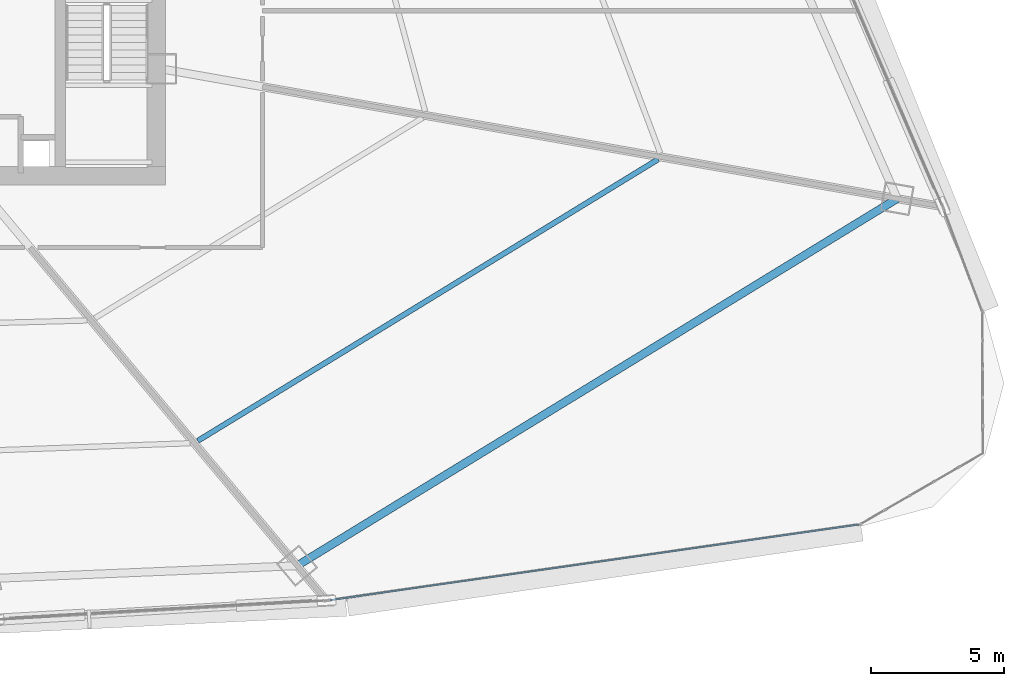
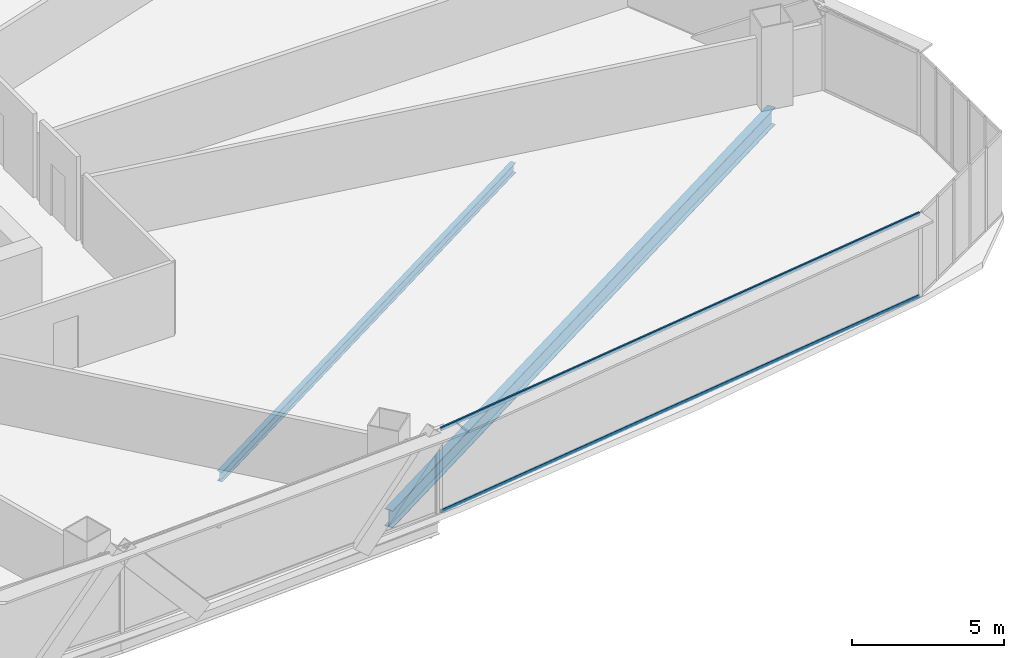
# One storey, part 21 of 42: 2 beams, 2 members, 1 element without a shape of its own.
"""IFC4 building model written with IfcOpenShell, lengths in metres."""

from ifc_helpers import new_model, si_unit, direction, frame, origin, origin_2d, place, context, subcontext, project, spatial, hollow_rectangle, i_section, extrude, source, transform, mapped, material, layer, layer_set, material_profile, profile_set, type_object, element, aggregate, save


model = new_model("IFC4")

# Units and contexts
model_context = context("Model", 3, precision=1e-05, world=origin(), true_north=direction((0.0, 1.0)))
body_context = subcontext(model_context, "Body", "Model", "MODEL_VIEW")
ifc_project = project(units=[si_unit("LENGTHUNIT", "METRE"), si_unit("AREAUNIT", "SQUARE_METRE"), si_unit("VOLUMEUNIT", "CUBIC_METRE"), si_unit("PLANEANGLEUNIT", "RADIAN"), si_unit("MASSUNIT", "GRAM", prefix="KILO"), si_unit("THERMODYNAMICTEMPERATUREUNIT", "KELVIN"), si_unit("POWERUNIT", "WATT")], contexts=[model_context])

# Site, building, storey
site_placement = place(None, origin())
site = spatial("IfcSite", under=ifc_project, at=site_placement, CompositionType="ELEMENT")
building_placement = place(site_placement, origin())
building = spatial("IfcBuilding", under=site, at=building_placement, Name="Yunzhuo Pagoda Commons", CompositionType="ELEMENT")
storey_placement = place(building_placement, frame((0.0, 0.0, 44.919921875)))
storey = spatial("IfcBuildingStorey", under=building, at=storey_placement, Name="L11", CompositionType="ELEMENT", Elevation=44.919921875)

# Beams
ifc_material_1 = material(Name="Structural steel Q355B", Category="steel")
ifc_material_profile_1 = material_profile(ifc_material_1, i_section(OverallWidth=0.300048828125, OverallDepth=0.699951171875, WebThickness=0.012939453125, FlangeThickness=0.02392578125, at=origin_2d()), Name="Structural steel Q355B")
ifc_profile_set_1 = profile_set([ifc_material_profile_1], Name="Structural steel Q355B")
beam_type_1 = type_object("IfcBeamType", Name="B-RG1 Beam HN 700x300x13x24", PredefinedType="BEAM", material=ifc_profile_set_1)
shared_shape_1 = source(origin(), body_context, "Body", "SweptSolid", [
    extrude(i_section(OverallWidth=0.300048828125, OverallDepth=0.699951171875, WebThickness=0.012939453125, FlangeThickness=0.02392578125, at=origin_2d()), origin(), (0.0, 0.0, 1.0), 26.432373046875),
])
beam_1_placement = place(storey_placement, frame((65.5, 12.844482421875, -0.60986328125), z_axis=(0.853031728928, 0.521859051318, 0.0), x_axis=(-0.521859051318, 0.853031728928, 0.0)))
element("IfcBeam", 1, at=beam_1_placement, inside=storey, type_object=beam_type_1, Name="L11 column-ring beam 4", PredefinedType="BEAM", context=body_context, shape_type="MappedRepresentation", body=[
    mapped(shared_shape_1, transform((0.0, 0.0, 0.0), scale=1.0)),
])
ifc_material_profile_2 = material_profile(ifc_material_1, i_section(OverallWidth=0.199951171875, OverallDepth=0.39990234375, WebThickness=0.008056640625, FlangeThickness=0.012939453125, at=origin_2d()), Name="Structural steel Q355B")
ifc_profile_set_2 = profile_set([ifc_material_profile_2], Name="Structural steel Q355B")
beam_type_2 = type_object("IfcBeamType", Name="B-JS1 Joist HN 400x200x8x13", PredefinedType="JOIST", material=ifc_profile_set_2)
shared_shape_2 = source(origin(), body_context, "Body", "SweptSolid", [
    extrude(i_section(OverallWidth=0.199951171875, OverallDepth=0.39990234375, WebThickness=0.008056640625, FlangeThickness=0.012939453125, at=origin_2d()), origin(), (0.0, 0.0, 1.0), 20.275634765625),
])
beam_2_placement = place(storey_placement, frame((61.767578125, 17.537109375, -0.4599609375), z_axis=(0.853102898066, 0.521742700295, 0.0), x_axis=(-0.521742700295, 0.853102898066, 0.0)))
element("IfcBeam", 2, at=beam_2_placement, inside=storey, type_object=beam_type_2, Name="L11 composite ring joist 2.4", PredefinedType="JOIST", context=body_context, shape_type="MappedRepresentation", body=[
    mapped(shared_shape_2, transform((0.0, 0.0, 0.0), scale=1.0)),
])

# Curtain wall, members
ifc_material_2 = material(Name="Anodized aluminium 6063-T6", Category="aluminium")
ifc_layer = layer(ifc_material_2, 0.1650390625)
ifc_layer_set = layer_set([ifc_layer], Name="Anodized aluminium 6063-T6")
curtain_wall_type = type_object("IfcCurtainWallType", Name="CW-LOW Low-Zone Ribbon Curtain Wall", PredefinedType="NOTDEFINED", material=ifc_layer_set)
curtain_wall_placement = place(storey_placement, origin())
curtain_wall = element("IfcCurtainWall", 3, at=curtain_wall_placement, inside=storey, type_object=curtain_wall_type, Name="L11 curtain wall CW-L11-F1B5", PredefinedType="NOTDEFINED")
ifc_material_profile_3 = material_profile(ifc_material_2, hollow_rectangle(XDim=0.06005859375, YDim=0.139892578125, WallThickness=0.00341796875, at=origin_2d()), Name="Anodized aluminium 6063-T6")
ifc_profile_set_3 = profile_set([ifc_material_profile_3], Name="Anodized aluminium 6063-T6")
member_type = type_object("IfcMemberType", Name="CW-LOW-T Transom RHS 140x60x3.5", PredefinedType="USERDEFINED", material=ifc_profile_set_3)
shared_shape_3 = source(origin(), body_context, "Body", "SweptSolid", [
    extrude(hollow_rectangle(XDim=0.06005859375, YDim=0.139892578125, WallThickness=0.00341796875, at=origin_2d()), origin(), (0.0, 0.0, 1.0), 20.066650390625),
])
member_1_placement = place(storey_placement, frame((66.739013671875, 11.552734375, 0.030029296875), z_axis=(0.989938784311, 0.141496301422, 0.0), x_axis=(-0.141496301422, 0.989938784311, 0.0)))
member_1 = element("IfcMember", 4, at=member_1_placement, type_object=member_type, Name="CW transom 1.1", ObjectType="TRANSOM", PredefinedType="USERDEFINED", context=body_context, shape_type="MappedRepresentation", body=[
    mapped(shared_shape_3, transform((0.0, 0.0, 0.0), scale=1.0)),
])
member_2_placement = place(storey_placement, frame((66.739013671875, 11.552734375, 3.340087890625), z_axis=(0.989938784311, 0.141496301422, 0.0), x_axis=(-0.141496301422, 0.989938784311, 0.0)))
member_2 = element("IfcMember", 5, at=member_2_placement, type_object=member_type, Name="CW transom 1.2", ObjectType="TRANSOM", PredefinedType="USERDEFINED", context=body_context, shape_type="MappedRepresentation", body=[
    mapped(shared_shape_3, transform((0.0, 0.0, 0.0), scale=1.0)),
])
aggregate(curtain_wall, [member_1, member_2])

save(model, "model.ifc")
